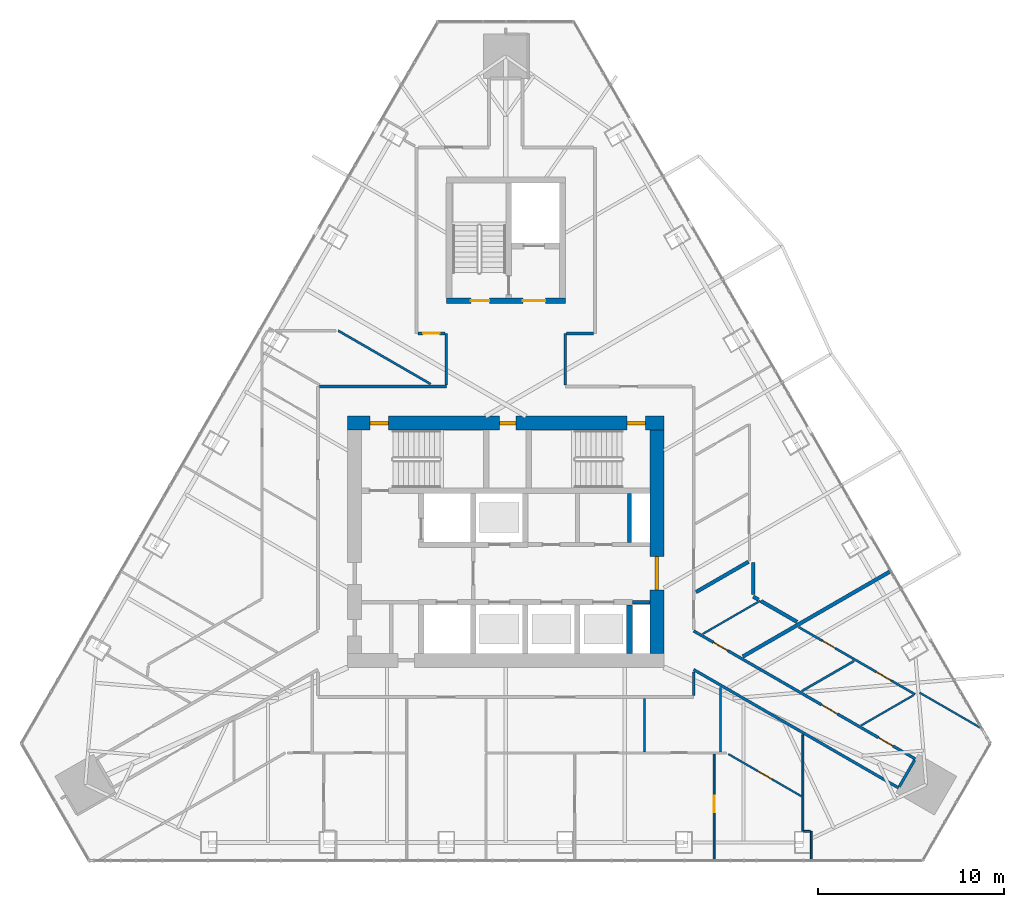
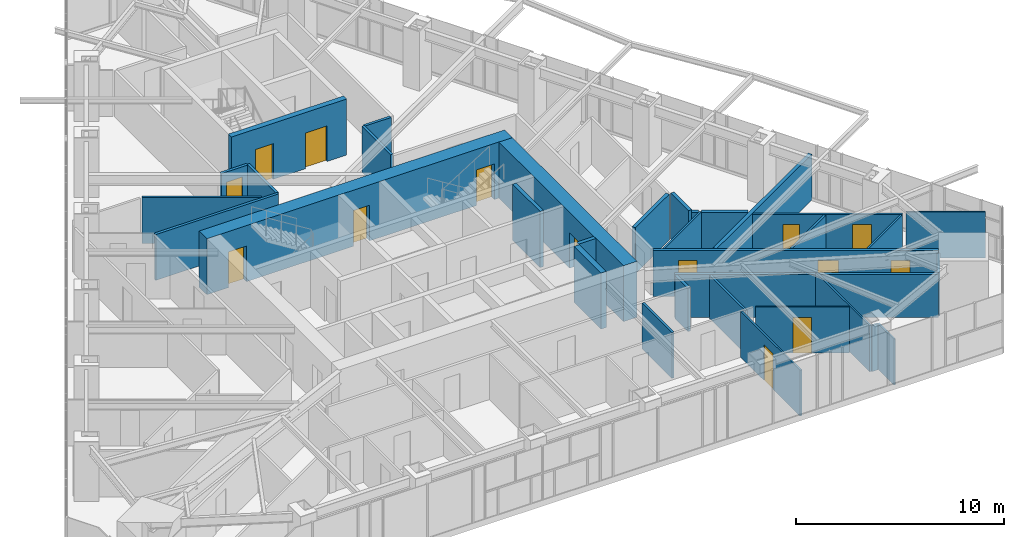
# One storey, part 23 of 26: 33 walls, 14 doors, 14 openings.
"""IFC4 building model written with IfcOpenShell, lengths in metres."""

from ifc_helpers import new_model, si_unit, direction, frame, frame_2d, origin, place, context, subcontext, project, spatial, rectangle, extrude, material, layer, layer_set, type_object, element, fill, save


model = new_model("IFC4")

# Units and contexts
model_context = context("Model", 3, precision=1e-05, world=origin(), true_north=direction((0.0, 1.0)))
body_context = subcontext(model_context, "Body", "Model", "MODEL_VIEW")
ifc_project = project(units=[si_unit("LENGTHUNIT", "METRE"), si_unit("AREAUNIT", "SQUARE_METRE"), si_unit("VOLUMEUNIT", "CUBIC_METRE"), si_unit("PLANEANGLEUNIT", "RADIAN"), si_unit("MASSUNIT", "GRAM", prefix="KILO")], contexts=[model_context])

# Site, building, storey
site_placement = place(None, origin())
site = spatial("IfcSite", under=ifc_project, at=site_placement, CompositionType="ELEMENT")
building_placement = place(site_placement, origin())
building = spatial("IfcBuilding", under=site, at=building_placement, Name="Firuza Gate Tower and Library", CompositionType="ELEMENT")
storey_placement = place(building_placement, frame((0.0, 0.0, 288.10009765625)))
storey = spatial("IfcBuildingStorey", under=building, at=storey_placement, Name="L69", CompositionType="ELEMENT", Elevation=288.10009765625)

# Walls
ifc_material_1 = material(Name="Plasterboard on steel studs", Category="steel")
ifc_layer_1 = layer(ifc_material_1, 0.199951171875)
ifc_layer_set_1 = layer_set([ifc_layer_1], Name="Core partition 200 EI 120")
wall_type_1 = type_object("IfcWallType", Name="Core partition 200 EI 120", PredefinedType="PARTITIONING", material=ifc_layer_set_1)
wall_1_placement = place(storey_placement, frame((81.800048828125, 71.75, 0.0), z_axis=(0.0, 0.0, 1.0), x_axis=(1.0, 0.0, 0.0)))
element("IfcWall", 1, at=wall_1_placement, inside=storey, type_object=wall_type_1, Name="Core partition L69 2", PredefinedType="PARTITIONING", context=body_context, shape_type="SweptSolid", body=[
    extrude(rectangle(XDim=0.949951171875, YDim=0.199951171875, at=frame_2d((0.47509765625, 0.0))), origin(), (0.0, 0.0, 1.0), 3.2998046875),
])
wall_2_placement = place(storey_placement, frame((81.64990234375, 74.949951171875, 0.0), z_axis=(0.0, 0.0, 1.0), x_axis=(0.0, 1.0, 0.0)))
element("IfcWall", 2, at=wall_2_placement, inside=storey, type_object=wall_type_1, Name="Core partition L69 7", PredefinedType="PARTITIONING", context=body_context, shape_type="SweptSolid", body=[
    extrude(rectangle(XDim=2.650146484375, YDim=0.199951171875, at=frame_2d((1.3251953125, 0.0))), origin(), (0.0, 0.0, 1.0), 3.2998046875),
])
ifc_material_2 = material(Name="Concrete C60/75", Category="concrete")
ifc_layer_2 = layer(ifc_material_2, 0.300048828125)
ifc_layer_set_2 = layer_set([ifc_layer_2], Name="Core wall 300 C60/75")
wall_type_2 = type_object("IfcWallType", Name="Core wall 300 C60/75", PredefinedType="SHEAR", material=ifc_layer_set_2)
wall_3_placement = place(storey_placement, frame((81.64990234375, 69.0, 0.0), z_axis=(0.0, 0.0, 1.0), x_axis=(0.0, 1.0, 0.0)))
element("IfcWall", 3, at=wall_3_placement, inside=storey, type_object=wall_type_2, Name="Core wall L69 14", PredefinedType="SHEAR", context=body_context, shape_type="SweptSolid", body=[
    extrude(rectangle(XDim=2.60009765625, YDim=0.300048828125, at=frame_2d((1.300048828125, 0.0))), origin(), (0.0, 0.0, 1.0), 3.2998046875),
])

# Wall, openings, doors
wall_4_placement = place(storey_placement, frame((71.800048828125, 87.949951171875, 0.0), z_axis=(0.0, 0.0, 1.0), x_axis=(1.0, 0.0, 0.0)))
wall_4 = element("IfcWall", 4, at=wall_4_placement, inside=storey, type_object=wall_type_2, Name="Core wall L69 18", PredefinedType="SHEAR", context=body_context, shape_type="SweptSolid", body=[
    extrude(rectangle(XDim=6.39990234375, YDim=0.300048828125, at=frame_2d((3.199951171875, 0.0))), origin(), (0.0, 0.0, 1.0), 3.2998046875),
])
opening_1_placement = place(wall_4_placement, frame((1.324951171875, 0.0, 0.0)))
opening_1 = element("IfcOpeningElement", 5, at=opening_1_placement, cuts=wall_4, Name="Opening L69-K11", PredefinedType="OPENING", context=body_context, shape_type="SweptSolid", body=[
    extrude(rectangle(XDim=1.0, YDim=2.10009765625, at=frame_2d((0.5, 1.050048828125))), frame((0.0, 0.16015625, 0.0), z_axis=(0.0, -1.0, 0.0), x_axis=(1.0, 0.0, 0.0)), (0.0, 0.0, 1.0), 0.320068359375),
])
opening_2_placement = place(wall_4_placement, frame((4.125, 0.0, 0.0)))
opening_2 = element("IfcOpeningElement", 6, at=opening_2_placement, cuts=wall_4, Name="Opening L69-K13", PredefinedType="OPENING", context=body_context, shape_type="SweptSolid", body=[
    extrude(rectangle(XDim=1.199951171875, YDim=2.10009765625, at=frame_2d((0.60009765625, 1.050048828125))), frame((0.0, 0.16015625, 0.0), z_axis=(0.0, -1.0, 0.0), x_axis=(1.0, 0.0, 0.0)), (0.0, 0.0, 1.0), 0.320068359375),
])
ifc_material_3 = material(Name="Steel", Category="steel")
door_type_1 = type_object("IfcDoorType", Name="Fire door 1000x2100 FD90", OperationType="NOTDEFINED", PredefinedType="DOOR", material=ifc_material_3)
door_1_placement = place(opening_1_placement, origin())
door_1 = element("IfcDoor", 7, at=door_1_placement, inside=storey, type_object=door_type_1, Name="Door L69-K11", OperationType="SINGLE_SWING_RIGHT", OverallHeight=2.10009765625, OverallWidth=1.0, PredefinedType="DOOR", context=body_context, shape_type="SweptSolid", body=[
    extrude(rectangle(XDim=1.0, YDim=2.10009765625, at=frame_2d((0.5, 1.050048828125))), frame((0.0, 0.02490234375, 0.0), z_axis=(0.0, -1.0, 0.0), x_axis=(1.0, 0.0, 0.0)), (0.0, 0.0, 1.0), 0.050048828125),
])
fill(opening_1, door_1)
ifc_material_4 = material(Name="Steel", Category="steel")
door_type_2 = type_object("IfcDoorType", Name="Fire door 1200x2100 FD30S", OperationType="NOTDEFINED", PredefinedType="DOOR", material=ifc_material_4)
door_2_placement = place(opening_2_placement, origin())
door_2 = element("IfcDoor", 8, at=door_2_placement, inside=storey, type_object=door_type_2, Name="Door L69-K13", OperationType="SINGLE_SWING_RIGHT", OverallHeight=2.10009765625, OverallWidth=1.199951171875, PredefinedType="DOOR", context=body_context, shape_type="SweptSolid", body=[
    extrude(rectangle(XDim=1.199951171875, YDim=2.10009765625, at=frame_2d((0.60009765625, 1.050048828125))), frame((0.0, 0.02490234375, 0.0), z_axis=(0.0, -1.0, 0.0), x_axis=(1.0, 0.0, 0.0)), (0.0, 0.0, 1.0), 0.050048828125),
])
fill(opening_2, door_2)

ifc_material_5 = material(Name="Concrete C60/75", Category="concrete")
ifc_layer_3 = layer(ifc_material_5, 0.75)
ifc_layer_set_3 = layer_set([ifc_layer_3], Name="Core wall 750 C60/75")
wall_type_3 = type_object("IfcWallType", Name="Core wall 750 C60/75", PredefinedType="SHEAR", material=ifc_layer_set_3)
wall_5_placement = place(storey_placement, frame((66.5, 81.375, 0.0), z_axis=(0.0, 0.0, 1.0), x_axis=(1.0, 0.0, 0.0)))
wall_5 = element("IfcWall", 9, at=wall_5_placement, inside=storey, type_object=wall_type_3, Name="Core wall L69 2", PredefinedType="SHEAR", context=body_context, shape_type="SweptSolid", body=[
    extrude(rectangle(XDim=17.0, YDim=0.75, at=frame_2d((8.5, 0.0))), origin(), (0.0, 0.0, 1.0), 3.2998046875),
])
opening_3_placement = place(wall_5_placement, frame((1.195068359375, 0.0, 0.0)))
opening_3 = element("IfcOpeningElement", 10, at=opening_3_placement, cuts=wall_5, Name="Opening L69-K09", PredefinedType="OPENING", context=body_context, shape_type="SweptSolid", body=[
    extrude(rectangle(XDim=1.0, YDim=2.10009765625, at=frame_2d((0.5, 1.050048828125))), frame((0.0, 0.385009765625, 0.0), z_axis=(0.0, -1.0, 0.0), x_axis=(1.0, 0.0, 0.0)), (0.0, 0.0, 1.0), 0.77001953125),
])
opening_4_placement = place(wall_5_placement, frame((15.0048828125, 0.0, 0.0)))
opening_4 = element("IfcOpeningElement", 11, at=opening_4_placement, cuts=wall_5, Name="Opening L69-K10", PredefinedType="OPENING", context=body_context, shape_type="SweptSolid", body=[
    extrude(rectangle(XDim=1.0, YDim=2.10009765625, at=frame_2d((0.5, 1.050048828125))), frame((0.0, 0.385009765625, 0.0), z_axis=(0.0, -1.0, 0.0), x_axis=(1.0, 0.0, 0.0)), (0.0, 0.0, 1.0), 0.77001953125),
])
opening_5_placement = place(wall_5_placement, frame((8.14990234375, 0.0, 0.0)))
opening_5 = element("IfcOpeningElement", 12, at=opening_5_placement, cuts=wall_5, Name="Opening L69-K21", PredefinedType="OPENING", context=body_context, shape_type="SweptSolid", body=[
    extrude(rectangle(XDim=0.89990234375, YDim=2.10009765625, at=frame_2d((0.449951171875, 1.050048828125))), frame((0.0, 0.385009765625, 0.0), z_axis=(0.0, -1.0, 0.0), x_axis=(1.0, 0.0, 0.0)), (0.0, 0.0, 1.0), 0.77001953125),
])
door_3_placement = place(opening_3_placement, origin())
door_3 = element("IfcDoor", 13, at=door_3_placement, inside=storey, type_object=door_type_1, Name="Door L69-K09", OperationType="SINGLE_SWING_RIGHT", OverallHeight=2.10009765625, OverallWidth=1.0, PredefinedType="DOOR", context=body_context, shape_type="SweptSolid", body=[
    extrude(rectangle(XDim=1.0, YDim=2.10009765625, at=frame_2d((0.5, 1.050048828125))), frame((0.0, 0.094970703125, 0.0), z_axis=(0.0, -1.0, 0.0), x_axis=(1.0, 0.0, 0.0)), (0.0, 0.0, 1.0), 0.18994140625),
])
fill(opening_3, door_3)
door_4_placement = place(opening_4_placement, origin())
door_4 = element("IfcDoor", 14, at=door_4_placement, inside=storey, type_object=door_type_1, Name="Door L69-K10", OperationType="SINGLE_SWING_LEFT", OverallHeight=2.10009765625, OverallWidth=1.0, PredefinedType="DOOR", context=body_context, shape_type="SweptSolid", body=[
    extrude(rectangle(XDim=1.0, YDim=2.10009765625, at=frame_2d((0.5, 1.050048828125))), frame((0.0, 0.094970703125, 0.0), z_axis=(0.0, -1.0, 0.0), x_axis=(1.0, 0.0, 0.0)), (0.0, 0.0, 1.0), 0.18994140625),
])
fill(opening_4, door_4)
ifc_material_6 = material(Name="Steel", Category="steel")
door_type_3 = type_object("IfcDoorType", Name="Fire door 900x2100 FD30S", OperationType="NOTDEFINED", PredefinedType="DOOR", material=ifc_material_6)
door_5_placement = place(opening_5_placement, origin())
door_5 = element("IfcDoor", 15, at=door_5_placement, inside=storey, type_object=door_type_3, Name="Door L69-K21", OperationType="SINGLE_SWING_RIGHT", OverallHeight=2.10009765625, OverallWidth=0.89990234375, PredefinedType="DOOR", context=body_context, shape_type="SweptSolid", body=[
    extrude(rectangle(XDim=0.89990234375, YDim=2.10009765625, at=frame_2d((0.449951171875, 1.050048828125))), frame((0.0, 0.094970703125, 0.0), z_axis=(0.0, -1.0, 0.0), x_axis=(1.0, 0.0, 0.0)), (0.0, 0.0, 1.0), 0.18994140625),
])
fill(opening_5, door_5)

# Wall, opening, door
wall_6_placement = place(storey_placement, frame((83.125, 69.0, 0.0), z_axis=(0.0, 0.0, 1.0), x_axis=(0.0, 1.0, 0.0)))
wall_6 = element("IfcWall", 16, at=wall_6_placement, inside=storey, type_object=wall_type_3, Name="Core wall L69 4", PredefinedType="SHEAR", context=body_context, shape_type="SweptSolid", body=[
    extrude(rectangle(XDim=12.0, YDim=0.75, at=frame_2d((6.0, 0.0))), origin(), (0.0, 0.0, 1.0), 3.2998046875),
])
opening_6_placement = place(wall_6_placement, frame((3.39990234375, 0.0, 0.0)))
opening_6 = element("IfcOpeningElement", 17, at=opening_6_placement, cuts=wall_6, Name="Opening L69-K16", PredefinedType="OPENING", context=body_context, shape_type="SweptSolid", body=[
    extrude(rectangle(XDim=1.800048828125, YDim=2.10009765625, at=frame_2d((0.89990234375, 1.050048828125))), frame((0.0, 0.385009765625, 0.0), z_axis=(0.0, -1.0, 0.0), x_axis=(1.0, 0.0, 0.0)), (0.0, 0.0, 1.0), 0.77001953125),
])
ifc_material_7 = material(Name="Steel", Category="steel")
door_type_4 = type_object("IfcDoorType", Name="Fire door 1800x2100 FD30S", OperationType="NOTDEFINED", PredefinedType="DOOR", material=ifc_material_7)
door_6_placement = place(opening_6_placement, origin())
door_6 = element("IfcDoor", 18, at=door_6_placement, inside=storey, type_object=door_type_4, Name="Door L69-K16", OperationType="SINGLE_SWING_LEFT", OverallHeight=2.10009765625, OverallWidth=1.800048828125, PredefinedType="DOOR", context=body_context, shape_type="SweptSolid", body=[
    extrude(rectangle(XDim=1.800048828125, YDim=2.10009765625, at=frame_2d((0.89990234375, 1.050048828125))), frame((0.0, 0.094970703125, 0.0), z_axis=(0.0, -1.0, 0.0), x_axis=(1.0, 0.0, 0.0)), (0.0, 0.0, 1.0), 0.18994140625),
])
fill(opening_6, door_6)

# Wall
ifc_material_8 = material(Name="Gypsum board partition")
ifc_layer_4 = layer(ifc_material_8, 0.14990234375)
ifc_layer_set_4 = layer_set([ifc_layer_4], Name="Corridor wall 150 double board on steel studs")
wall_type_4 = type_object("IfcWallType", Name="Corridor wall 150 double board on steel studs", PredefinedType="PARTITIONING", material=ifc_layer_set_4)
wall_7_placement = place(storey_placement, frame((64.97509765625, 83.35009765625, 0.0), z_axis=(0.0, 0.0, 1.0), x_axis=(1.0, 0.0, 0.0)))
element("IfcWall", 19, at=wall_7_placement, inside=storey, type_object=wall_type_4, Name="f:L69:w005", PredefinedType="PARTITIONING", context=body_context, shape_type="SweptSolid", body=[
    extrude(rectangle(XDim=6.824951171875, YDim=0.14990234375, at=frame_2d((3.41259765625, 0.0))), origin(), (0.0, 0.0, 1.0), 2.699951171875),
])

# Wall, opening, door
wall_8_placement = place(storey_placement, frame((70.275634765625, 86.199951171875, 0.0), z_axis=(0.0, 0.0, 1.0), x_axis=(1.0, 0.0, 0.0)))
wall_8 = element("IfcWall", 20, at=wall_8_placement, inside=storey, type_object=wall_type_4, Name="f:L69:w007", PredefinedType="PARTITIONING", context=body_context, shape_type="SweptSolid", body=[
    extrude(rectangle(XDim=1.44921875, YDim=0.14990234375, at=frame_2d((0.724609375, 0.0))), origin(), (0.0, 0.0, 1.0), 2.699951171875),
])
opening_7_placement = place(wall_8_placement, frame((0.274658203125, 0.0, 0.0)))
opening_7 = element("IfcOpeningElement", 21, at=opening_7_placement, cuts=wall_8, Name="Opening L69-08", PredefinedType="OPENING", context=body_context, shape_type="SweptSolid", body=[
    extrude(rectangle(XDim=0.89990234375, YDim=2.10009765625, at=frame_2d((0.449951171875, 1.050048828125))), frame((0.0, 0.0849609375, 0.0), z_axis=(0.0, -1.0, 0.0), x_axis=(1.0, 0.0, 0.0)), (0.0, 0.0, 1.0), 0.169921875),
])
ifc_material_9 = material(Name="Steel door and timber leaf", Category="steel")
door_type_5 = type_object("IfcDoorType", Name="Fire door 900 x 2100 steel frame, timber leaf", OperationType="NOTDEFINED", PredefinedType="DOOR", material=ifc_material_9)
door_7_placement = place(opening_7_placement, origin())
door_7 = element("IfcDoor", 22, at=door_7_placement, inside=storey, type_object=door_type_5, Name="f:L69:d008", OperationType="SINGLE_SWING_RIGHT", OverallHeight=2.10009765625, OverallWidth=0.89990234375, PredefinedType="DOOR", context=body_context, shape_type="SweptSolid", body=[
    extrude(rectangle(XDim=0.89990234375, YDim=2.10009765625, at=frame_2d((0.449951171875, 1.050048828125))), frame((0.0, 0.02490234375, 0.0), z_axis=(0.0, -1.0, 0.0), x_axis=(1.0, 0.0, 0.0)), (0.0, 0.0, 1.0), 0.050048828125),
])
fill(opening_7, door_7)

# Walls
wall_9_placement = place(storey_placement, frame((78.275146484375, 86.199951171875, 0.0), z_axis=(0.0, 0.0, 1.0), x_axis=(1.0, 0.0, 0.0)))
element("IfcWall", 23, at=wall_9_placement, inside=storey, type_object=wall_type_4, Name="f:L69:w008", PredefinedType="PARTITIONING", context=body_context, shape_type="SweptSolid", body=[
    extrude(rectangle(XDim=1.44775390625, YDim=0.14990234375, at=frame_2d((0.723876953125, 0.0))), origin(), (0.0, 0.0, 1.0), 2.699951171875),
])
wall_10_placement = place(storey_placement, frame((96.15283203125, 61.83544921875, 0.0), z_axis=(0.0, 0.0, 1.0), x_axis=(0.500008692254, 0.866020385251, 0.0)))
element("IfcWall", 24, at=wall_10_placement, inside=storey, type_object=wall_type_4, Name="f:L69:w029", PredefinedType="PARTITIONING", context=body_context, shape_type="SweptSolid", body=[
    extrude(rectangle(XDim=1.64892578125, YDim=0.14990234375, at=frame_2d((0.824462890625, 0.0))), origin(), (0.0, 0.0, 1.0), 2.546875),
])
wall_11_placement = place(storey_placement, frame((85.10009765625, 66.72509765625, 0.0), z_axis=(0.0, 0.0, 1.0), x_axis=(0.0, 1.0, 0.0)))
element("IfcWall", 25, at=wall_11_placement, inside=storey, type_object=wall_type_4, Name="f:L69:w041", PredefinedType="PARTITIONING", context=body_context, shape_type="SweptSolid", body=[
    extrude(rectangle(XDim=1.267822265625, YDim=0.14990234375, at=frame_2d((0.6337890625, 0.0))), origin(), (0.0, 0.0, 1.0), 2.546875),
])
for number, where, z_axis, x_axis, name in (
    (26, (78.199951171875, 83.425048828125, 0.0), (0.0, 0.0, 1.0), (0.0, 1.0, 0.0), "f:L69:w046"),
    (27, (71.800048828125, 83.425048828125, 0.0), (0.0, 0.0, 1.0), (0.0, 1.0, 0.0), "f:L69:w052"),
):
    element("IfcWall", number, at=place(storey_placement, frame(where, z_axis=z_axis, x_axis=x_axis)), inside=storey, type_object=wall_type_4, Name=name, PredefinedType="PARTITIONING", context=body_context, shape_type="SweptSolid", body=[
        extrude(rectangle(XDim=2.77490234375, YDim=0.14990234375, at=frame_2d((1.387451171875, 0.0))), origin(), (0.0, 0.0, 1.0), 2.697021484375),
    ])

# Wall, openings, doors
wall_12_placement = place(storey_placement, frame((97.01416015625, 63.329345703125, 0.0), z_axis=(0.0, 0.0, 1.0), x_axis=(-0.866023045711, 0.500004084281, 0.0)))
wall_12 = element("IfcWall", 28, at=wall_12_placement, inside=storey, type_object=wall_type_4, Name="f:L69:w071", PredefinedType="PARTITIONING", context=body_context, shape_type="SweptSolid", body=[
    extrude(rectangle(XDim=13.75732421875, YDim=0.14990234375, at=frame_2d((6.878662109375, 0.0))), origin(), (0.0, 0.0, 1.0), 2.699951171875),
])
opening_8_placement = place(wall_12_placement, frame((1.389892578125, 0.0, 0.0)))
opening_8 = element("IfcOpeningElement", 29, at=opening_8_placement, cuts=wall_12, Name="Opening L69-27", PredefinedType="OPENING", context=body_context, shape_type="SweptSolid", body=[
    extrude(rectangle(XDim=0.89990234375, YDim=2.10009765625, at=frame_2d((0.449951171875, 1.050048828125))), frame((0.0, 0.0849609375, 0.0), z_axis=(0.0, -1.0, 0.0), x_axis=(1.0, 0.0, 0.0)), (0.0, 0.0, 1.0), 0.169921875),
])
opening_9_placement = place(wall_12_placement, frame((4.821044921875, 0.0, 0.0)))
opening_9 = element("IfcOpeningElement", 30, at=opening_9_placement, cuts=wall_12, Name="Opening L69-28", PredefinedType="OPENING", context=body_context, shape_type="SweptSolid", body=[
    extrude(rectangle(XDim=1.0, YDim=2.10009765625, at=frame_2d((0.5, 1.050048828125))), frame((0.0, 0.0849609375, 0.0), z_axis=(0.0, -1.0, 0.0), x_axis=(1.0, 0.0, 0.0)), (0.0, 0.0, 1.0), 0.169921875),
])
opening_10_placement = place(wall_12_placement, frame((11.634033203125, 0.0, 0.0)))
opening_10 = element("IfcOpeningElement", 31, at=opening_10_placement, cuts=wall_12, Name="Opening L69-29", PredefinedType="OPENING", context=body_context, shape_type="SweptSolid", body=[
    extrude(rectangle(XDim=0.89990234375, YDim=2.10009765625, at=frame_2d((0.449951171875, 1.050048828125))), frame((0.0, 0.0849609375, 0.0), z_axis=(0.0, -1.0, 0.0), x_axis=(1.0, 0.0, 0.0)), (0.0, 0.0, 1.0), 0.169921875),
])
ifc_material_10 = material(Name="Steel door and timber leaf", Category="steel")
door_type_6 = type_object("IfcDoorType", Name="Fire door 1000 x 2100 steel frame, timber leaf", OperationType="NOTDEFINED", PredefinedType="DOOR", material=ifc_material_10)
door_8_placement = place(opening_9_placement, origin())
door_8 = element("IfcDoor", 32, at=door_8_placement, inside=storey, type_object=door_type_6, Name="f:L69:d028", OperationType="SINGLE_SWING_LEFT", OverallHeight=2.10009765625, OverallWidth=1.0, PredefinedType="DOOR", context=body_context, shape_type="SweptSolid", body=[
    extrude(rectangle(XDim=1.0, YDim=2.10009765625, at=frame_2d((0.5, 1.050048828125))), frame((0.0, 0.02490234375, 0.0), z_axis=(0.0, -1.0, 0.0), x_axis=(1.0, 0.0, 0.0)), (0.0, 0.0, 1.0), 0.050048828125),
])
fill(opening_9, door_8)
door_9_placement = place(opening_8_placement, origin())
door_9 = element("IfcDoor", 33, at=door_9_placement, inside=storey, type_object=door_type_5, Name="f:L69:d027", OperationType="SINGLE_SWING_LEFT", OverallHeight=2.10009765625, OverallWidth=0.89990234375, PredefinedType="DOOR", context=body_context, shape_type="SweptSolid", body=[
    extrude(rectangle(XDim=0.89990234375, YDim=2.10009765625, at=frame_2d((0.449951171875, 1.050048828125))), frame((0.0, 0.02490234375, 0.0), z_axis=(0.0, -1.0, 0.0), x_axis=(1.0, 0.0, 0.0)), (0.0, 0.0, 1.0), 0.050048828125),
])
fill(opening_8, door_9)
door_10_placement = place(opening_10_placement, origin())
door_10 = element("IfcDoor", 34, at=door_10_placement, inside=storey, type_object=door_type_5, Name="f:L69:d029", OperationType="SINGLE_SWING_LEFT", OverallHeight=2.10009765625, OverallWidth=0.89990234375, PredefinedType="DOOR", context=body_context, shape_type="SweptSolid", body=[
    extrude(rectangle(XDim=0.89990234375, YDim=2.10009765625, at=frame_2d((0.449951171875, 1.050048828125))), frame((0.0, 0.02490234375, 0.0), z_axis=(0.0, -1.0, 0.0), x_axis=(1.0, 0.0, 0.0)), (0.0, 0.0, 1.0), 0.050048828125),
])
fill(opening_10, door_10)

# Walls
wall_13_placement = place(storey_placement, frame((96.1142578125, 61.7705078125, 0.0), z_axis=(0.0, 0.0, 1.0), x_axis=(-0.866021912989, 0.500006046186, 0.0)))
element("IfcWall", 35, at=wall_13_placement, inside=storey, type_object=wall_type_4, Name="f:L69:w073", PredefinedType="PARTITIONING", context=body_context, shape_type="SweptSolid", body=[
    extrude(rectangle(XDim=12.718017578125, YDim=0.14990234375, at=frame_2d((6.35888671875, 0.0))), origin(), (0.0, 0.0, 1.0), 2.546875),
])
ifc_material_11 = material(Name="Gypsum board partition")
ifc_layer_5 = layer(ifc_material_11, 0.199951171875)
ifc_layer_set_5 = layer_set([ifc_layer_5], Name="Demising wall 200 acoustic double stud")
wall_type_5 = type_object("IfcWallType", Name="Demising wall 200 acoustic double stud", PredefinedType="PARTITIONING", material=ifc_layer_set_5)
wall_14_placement = place(storey_placement, frame((87.74072265625, 68.829833984375, 0.0), z_axis=(0.0, 0.0, 1.0), x_axis=(0.866026579827, 0.499997963029, 0.0)))
element("IfcWall", 36, at=wall_14_placement, inside=storey, type_object=wall_type_5, Name="f:L69:w017", PredefinedType="PARTITIONING", context=body_context, shape_type="SweptSolid", body=[
    extrude(rectangle(XDim=9.17919921875, YDim=0.199951171875, at=frame_2d((4.589599609375, 0.0))), origin(), (0.0, 0.0, 1.0), 2.68798828125),
])
wall_15_placement = place(storey_placement, frame((85.226806640625, 72.29736328125, 0.0), z_axis=(0.0, 0.0, 1.0), x_axis=(0.866002113569, 0.500040337666, 0.0)))
element("IfcWall", 37, at=wall_15_placement, inside=storey, type_object=wall_type_5, Name="f:L69:w019", PredefinedType="PARTITIONING", context=body_context, shape_type="SweptSolid", body=[
    extrude(rectangle(XDim=3.257568359375, YDim=0.199951171875, at=frame_2d((1.62890625, 0.0))), origin(), (0.0, 0.0, 1.0), 2.699951171875),
])
wall_16_placement = place(storey_placement, frame((88.300048828125, 72.17138671875, 0.0), z_axis=(0.0, 0.0, 1.0), x_axis=(0.0, 1.0, 0.0)))
element("IfcWall", 38, at=wall_16_placement, inside=storey, type_object=wall_type_5, Name="f:L69:w037", PredefinedType="PARTITIONING", context=body_context, shape_type="SweptSolid", body=[
    extrude(rectangle(XDim=1.7236328125, YDim=0.199951171875, at=frame_2d((0.86181640625, 0.0))), origin(), (0.0, 0.0, 1.0), 2.699951171875),
])
wall_17_placement = place(storey_placement, frame((90.66162109375, 70.692138671875, 0.0), z_axis=(0.0, 0.0, 1.0), x_axis=(-0.866034963436, 0.499983441833, 0.0)))
element("IfcWall", 39, at=wall_17_placement, inside=storey, type_object=wall_type_5, Name="f:L69:w068", PredefinedType="PARTITIONING", context=body_context, shape_type="SweptSolid", body=[
    extrude(rectangle(XDim=2.240234375, YDim=0.199951171875, at=frame_2d((1.1201171875, 0.0))), origin(), (0.0, 0.0, 1.0), 2.699951171875),
])
wall_18_placement = place(storey_placement, frame((88.583984375, 71.8916015625, 0.0), z_axis=(0.0, 0.0, 1.0), x_axis=(-0.865987003449, 0.500066505434, 0.0)))
element("IfcWall", 40, at=wall_18_placement, inside=storey, type_object=wall_type_5, Name="f:L69:w082", PredefinedType="PARTITIONING", context=body_context, shape_type="SweptSolid", body=[
    extrude(rectangle(XDim=0.32763671875, YDim=0.199951171875, at=frame_2d((0.163818359375, 0.0))), origin(), (0.0, 0.0, 1.0), 2.699951171875),
])
ifc_material_12 = material(Name="Gypsum board partition")
ifc_layer_6 = layer(ifc_material_12, 0.10009765625)
ifc_layer_set_6 = layer_set([ifc_layer_6], Name="Partition 100 gypsum board on steel studs")
wall_type_6 = type_object("IfcWallType", Name="Partition 100 gypsum board on steel studs", PredefinedType="PARTITIONING", material=ifc_layer_set_6)
wall_19_placement = place(storey_placement, frame((91.0234375, 59.431884765625, 0.0), z_axis=(0.0, 0.0, 1.0), x_axis=(1.0, 0.0, 0.0)))
element("IfcWall", 41, at=wall_19_placement, inside=storey, type_object=wall_type_6, Name="f:L69:w001", PredefinedType="PARTITIONING", context=body_context, shape_type="SweptSolid", body=[
    extrude(rectangle(XDim=0.349365234375, YDim=0.10009765625, at=frame_2d((0.1748046875, 0.0))), origin(), (0.0, 0.0, 1.0), 2.699951171875),
])
wall_20_placement = place(storey_placement, frame((94.10400390625, 65.126220703125, 0.0), z_axis=(0.0, 0.0, 1.0), x_axis=(0.866000336211, 0.500043415797, 0.0)))
element("IfcWall", 42, at=wall_20_placement, inside=storey, type_object=wall_type_6, Name="f:L69:w015", PredefinedType="PARTITIONING", context=body_context, shape_type="SweptSolid", body=[
    extrude(rectangle(XDim=3.248291015625, YDim=0.10009765625, at=frame_2d((1.6240234375, 0.0))), origin(), (0.0, 0.0, 1.0), 2.699951171875),
])
wall_21_placement = place(storey_placement, frame((85.5849609375, 70.044677734375, 0.0), z_axis=(0.0, 0.0, 1.0), x_axis=(0.866004928679, 0.500035462246, 0.0)))
element("IfcWall", 43, at=wall_21_placement, inside=storey, type_object=wall_type_6, Name="f:L69:w018", PredefinedType="PARTITIONING", context=body_context, shape_type="SweptSolid", body=[
    extrude(rectangle(XDim=3.578369140625, YDim=0.10009765625, at=frame_2d((1.7890625, 0.0))), origin(), (0.0, 0.0, 1.0), 2.699951171875),
])
wall_22_placement = place(storey_placement, frame((91.423095703125, 57.8720703125, 0.0), z_axis=(0.0, 0.0, 1.0), x_axis=(0.0, 1.0, 0.0)))
element("IfcWall", 44, at=wall_22_placement, inside=storey, type_object=wall_type_6, Name="f:L69:w035", PredefinedType="PARTITIONING", context=body_context, shape_type="SweptSolid", body=[
    extrude(rectangle(XDim=1.559326171875, YDim=0.10009765625, at=frame_2d((0.77978515625, 0.0))), origin(), (0.0, 0.0, 1.0), 2.699951171875),
])
wall_23_placement = place(storey_placement, frame((90.972900390625, 59.431884765625, 0.0), z_axis=(0.0, 0.0, 1.0), x_axis=(0.0, 1.0, 0.0)))
element("IfcWall", 45, at=wall_23_placement, inside=storey, type_object=wall_type_6, Name="f:L69:w036", PredefinedType="PARTITIONING", context=body_context, shape_type="SweptSolid", body=[
    extrude(rectangle(XDim=5.18994140625, YDim=0.10009765625, at=frame_2d((2.594970703125, 0.0))), origin(), (0.0, 0.0, 1.0), 2.699951171875),
])

# Wall, opening, door
wall_24_placement = place(storey_placement, frame((86.202880859375, 63.590087890625, 0.0), z_axis=(0.0, 0.0, 1.0), x_axis=(0.0, -1.0, 0.0)))
wall_24 = element("IfcWall", 46, at=wall_24_placement, inside=storey, type_object=wall_type_6, Name="f:L69:w040", PredefinedType="PARTITIONING", context=body_context, shape_type="SweptSolid", body=[
    extrude(rectangle(XDim=5.718017578125, YDim=0.10009765625, at=frame_2d((2.85888671875, 0.0))), origin(), (0.0, 0.0, 1.0), 2.699951171875),
])
opening_11_placement = place(wall_24_placement, frame((2.22900390625, 0.0, 0.0)))
opening_11 = element("IfcOpeningElement", 47, at=opening_11_placement, cuts=wall_24, Name="Opening L69-17", PredefinedType="OPENING", context=body_context, shape_type="SweptSolid", body=[
    extrude(rectangle(XDim=0.89990234375, YDim=2.10009765625, at=frame_2d((0.449951171875, 1.050048828125))), frame((0.0, 0.06005859375, 0.0), z_axis=(0.0, -1.0, 0.0), x_axis=(1.0, 0.0, 0.0)), (0.0, 0.0, 1.0), 0.1201171875),
])
ifc_material_13 = material(Name="Timber door", Category="wood")
door_type_7 = type_object("IfcDoorType", Name="Door 900 x 2100 timber leaf", OperationType="NOTDEFINED", PredefinedType="DOOR", material=ifc_material_13)
door_11_placement = place(opening_11_placement, origin())
door_11 = element("IfcDoor", 48, at=door_11_placement, inside=storey, type_object=door_type_7, Name="f:L69:d017", OperationType="SINGLE_SWING_LEFT", OverallHeight=2.10009765625, OverallWidth=0.89990234375, PredefinedType="DOOR", context=body_context, shape_type="SweptSolid", body=[
    extrude(rectangle(XDim=0.89990234375, YDim=2.10009765625, at=frame_2d((0.449951171875, 1.050048828125))), frame((0.0, 0.02490234375, 0.0), z_axis=(0.0, -1.0, 0.0), x_axis=(1.0, 0.0, 0.0)), (0.0, 0.0, 1.0), 0.050048828125),
])
fill(opening_11, door_11)

# Wall
wall_25_placement = place(storey_placement, frame((100.56640625, 64.9736328125, 0.0), z_axis=(0.0, 0.0, 1.0), x_axis=(-0.8660389038, 0.499976616558, 0.0)))
element("IfcWall", 49, at=wall_25_placement, inside=storey, type_object=wall_type_6, Name="f:L69:w067", PredefinedType="PARTITIONING", context=body_context, shape_type="SweptSolid", body=[
    extrude(rectangle(XDim=3.824951171875, YDim=0.10009765625, at=frame_2d((1.91259765625, 0.0))), origin(), (0.0, 0.0, 1.0), 2.699951171875),
])

# Wall, opening, door
wall_26_placement = place(storey_placement, frame((86.962646484375, 63.590087890625, 0.0), z_axis=(0.0, 0.0, 1.0), x_axis=(0.866028993663, -0.499993782096, 0.0)))
wall_26 = element("IfcWall", 50, at=wall_26_placement, inside=storey, type_object=wall_type_6, Name="f:L69:w074", PredefinedType="PARTITIONING", context=body_context, shape_type="SweptSolid", body=[
    extrude(rectangle(XDim=4.54345703125, YDim=0.10009765625, at=frame_2d((2.271728515625, 0.0))), origin(), (0.0, 0.0, 1.0), 2.699951171875),
])
opening_12_placement = place(wall_26_placement, frame((1.82177734375, 0.0, 0.0)))
opening_12 = element("IfcOpeningElement", 51, at=opening_12_placement, cuts=wall_26, Name="Opening L69-31", PredefinedType="OPENING", context=body_context, shape_type="SweptSolid", body=[
    extrude(rectangle(XDim=0.89990234375, YDim=2.10009765625, at=frame_2d((0.449951171875, 1.050048828125))), frame((0.0, 0.06005859375, 0.0), z_axis=(0.0, -1.0, 0.0), x_axis=(1.0, 0.0, 0.0)), (0.0, 0.0, 1.0), 0.1201171875),
])
door_12_placement = place(opening_12_placement, origin())
door_12 = element("IfcDoor", 52, at=door_12_placement, inside=storey, type_object=door_type_7, Name="f:L69:d031", OperationType="SINGLE_SWING_LEFT", OverallHeight=2.10009765625, OverallWidth=0.89990234375, PredefinedType="DOOR", context=body_context, shape_type="SweptSolid", body=[
    extrude(rectangle(XDim=0.89990234375, YDim=2.10009765625, at=frame_2d((0.449951171875, 1.050048828125))), frame((0.0, 0.02490234375, 0.0), z_axis=(0.0, -1.0, 0.0), x_axis=(1.0, 0.0, 0.0)), (0.0, 0.0, 1.0), 0.050048828125),
])
fill(opening_12, door_12)

# Walls
ifc_material_14 = material(Name="Gypsum board partition")
ifc_layer_7 = layer(ifc_material_14, 0.1201171875)
ifc_layer_set_7 = layer_set([ifc_layer_7], Name="Wet-area partition 120 moisture-resistant board")
wall_type_7 = type_object("IfcWallType", Name="Wet-area partition 120 moisture-resistant board", PredefinedType="PARTITIONING", material=ifc_layer_set_7)
wall_27_placement = place(storey_placement, frame((90.918212890625, 66.97509765625, 0.0), z_axis=(0.0, 0.0, 1.0), x_axis=(0.86605210011, 0.499953757757, 0.0)))
element("IfcWall", 53, at=wall_27_placement, inside=storey, type_object=wall_type_7, Name="f:L69:w016", PredefinedType="PARTITIONING", context=body_context, shape_type="SweptSolid", body=[
    extrude(rectangle(XDim=3.228271484375, YDim=0.1201171875, at=frame_2d((1.6142578125, 0.0))), origin(), (0.0, 0.0, 1.0), 2.699951171875),
])
wall_28_placement = place(storey_placement, frame((86.5419921875, 63.7099609375, 0.0), z_axis=(0.0, 0.0, 1.0), x_axis=(0.0, 1.0, 0.0)))
element("IfcWall", 54, at=wall_28_placement, inside=storey, type_object=wall_type_7, Name="f:L69:w039", PredefinedType="PARTITIONING", context=body_context, shape_type="SweptSolid", body=[
    extrude(rectangle(XDim=3.46044921875, YDim=0.1201171875, at=frame_2d((1.730224609375, 0.0))), origin(), (0.0, 0.0, 1.0), 2.546875),
])
wall_29_placement = place(storey_placement, frame((82.4541015625, 63.7099609375, 0.0), z_axis=(0.0, 0.0, 1.0), x_axis=(0.0, 1.0, 0.0)))
element("IfcWall", 55, at=wall_29_placement, inside=storey, type_object=wall_type_7, Name="f:L69:w043", PredefinedType="PARTITIONING", context=body_context, shape_type="SweptSolid", body=[
    extrude(rectangle(XDim=2.864990234375, YDim=0.1201171875, at=frame_2d((1.4326171875, 0.0))), origin(), (0.0, 0.0, 1.0), 2.699951171875),
])
wall_30_placement = place(storey_placement, frame((70.9609375, 83.479736328125, 0.0), z_axis=(0.0, 0.0, 1.0), x_axis=(-0.86603330177, 0.499986320039, 0.0)))
element("IfcWall", 56, at=wall_30_placement, inside=storey, type_object=wall_type_7, Name="f:L69:w066", PredefinedType="PARTITIONING", context=body_context, shape_type="SweptSolid", body=[
    extrude(rectangle(XDim=5.739990234375, YDim=0.1201171875, at=frame_2d((2.8701171875, 0.0))), origin(), (0.0, 0.0, 1.0), 2.699951171875),
])

# Wall, openings, doors
wall_31_placement = place(storey_placement, frame((97.003173828125, 66.7998046875, 0.0), z_axis=(0.0, 0.0, 1.0), x_axis=(-0.866012764826, 0.500021890679, 0.0)))
wall_31 = element("IfcWall", 57, at=wall_31_placement, inside=storey, type_object=wall_type_7, Name="f:L69:w069", PredefinedType="PARTITIONING", context=body_context, shape_type="SweptSolid", body=[
    extrude(rectangle(XDim=7.222412109375, YDim=0.1201171875, at=frame_2d((3.611328125, 0.0))), origin(), (0.0, 0.0, 1.0), 2.699951171875),
])
opening_13_placement = place(wall_31_placement, frame((1.49609375, 0.0, 0.0)))
opening_13 = element("IfcOpeningElement", 58, at=opening_13_placement, cuts=wall_31, Name="Opening L69-24", PredefinedType="OPENING", context=body_context, shape_type="SweptSolid", body=[
    extrude(rectangle(XDim=0.89990234375, YDim=2.10009765625, at=frame_2d((0.449951171875, 1.050048828125))), frame((0.0, 0.070068359375, 0.0), z_axis=(0.0, -1.0, 0.0), x_axis=(1.0, 0.0, 0.0)), (0.0, 0.0, 1.0), 0.14013671875),
])
opening_14_placement = place(wall_31_placement, frame((4.95556640625, 0.0, 0.0)))
opening_14 = element("IfcOpeningElement", 59, at=opening_14_placement, cuts=wall_31, Name="Opening L69-25", PredefinedType="OPENING", context=body_context, shape_type="SweptSolid", body=[
    extrude(rectangle(XDim=0.800048828125, YDim=2.10009765625, at=frame_2d((0.39990234375, 1.050048828125))), frame((0.0, 0.070068359375, 0.0), z_axis=(0.0, -1.0, 0.0), x_axis=(1.0, 0.0, 0.0)), (0.0, 0.0, 1.0), 0.14013671875),
])
ifc_material_15 = material(Name="Timber door", Category="wood")
door_type_8 = type_object("IfcDoorType", Name="Door 800 x 2100 timber leaf", OperationType="NOTDEFINED", PredefinedType="DOOR", material=ifc_material_15)
door_13_placement = place(opening_14_placement, origin())
door_13 = element("IfcDoor", 60, at=door_13_placement, inside=storey, type_object=door_type_8, Name="f:L69:d025", OperationType="SINGLE_SWING_RIGHT", OverallHeight=2.10009765625, OverallWidth=0.800048828125, PredefinedType="DOOR", context=body_context, shape_type="SweptSolid", body=[
    extrude(rectangle(XDim=0.800048828125, YDim=2.10009765625, at=frame_2d((0.39990234375, 1.050048828125))), frame((0.0, 0.02490234375, 0.0), z_axis=(0.0, -1.0, 0.0), x_axis=(1.0, 0.0, 0.0)), (0.0, 0.0, 1.0), 0.050048828125),
])
fill(opening_14, door_13)
door_14_placement = place(opening_13_placement, origin())
door_14 = element("IfcDoor", 61, at=door_14_placement, inside=storey, type_object=door_type_7, Name="f:L69:d024", OperationType="SINGLE_SWING_RIGHT", OverallHeight=2.10009765625, OverallWidth=0.89990234375, PredefinedType="DOOR", context=body_context, shape_type="SweptSolid", body=[
    extrude(rectangle(XDim=0.89990234375, YDim=2.10009765625, at=frame_2d((0.449951171875, 1.050048828125))), frame((0.0, 0.02490234375, 0.0), z_axis=(0.0, -1.0, 0.0), x_axis=(1.0, 0.0, 0.0)), (0.0, 0.0, 1.0), 0.050048828125),
])
fill(opening_13, door_14)

save(model, "model.ifc")
